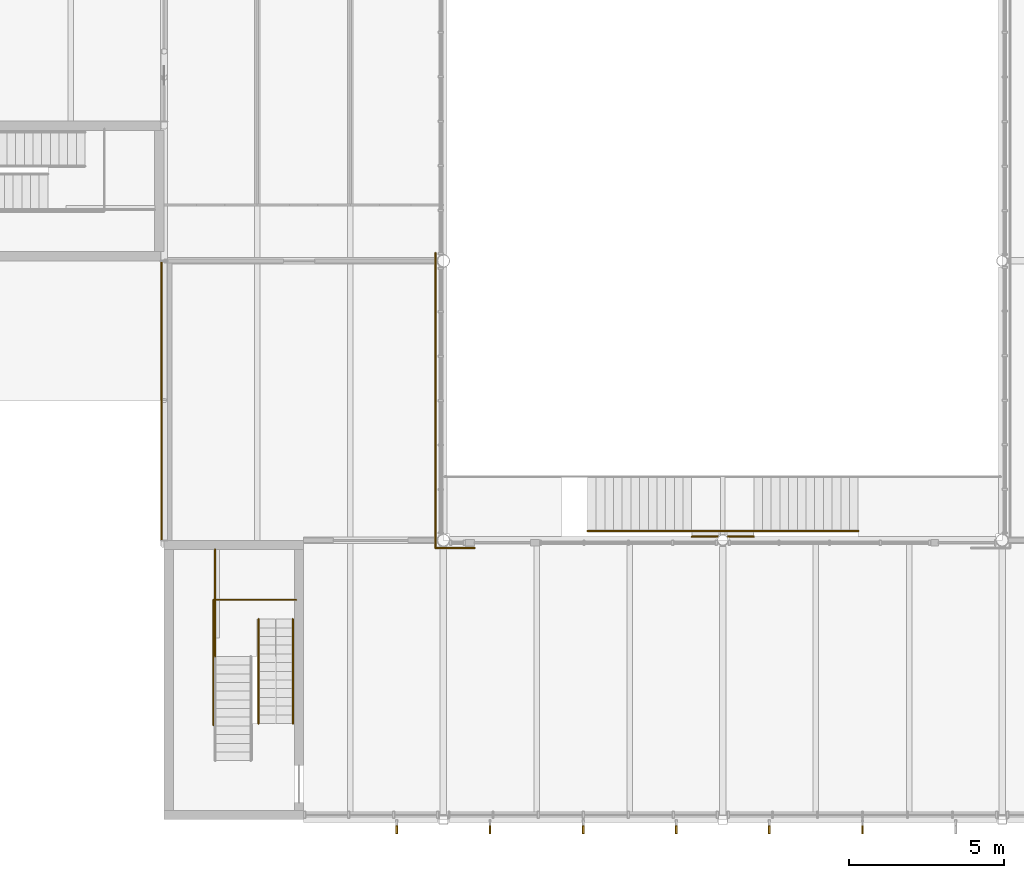
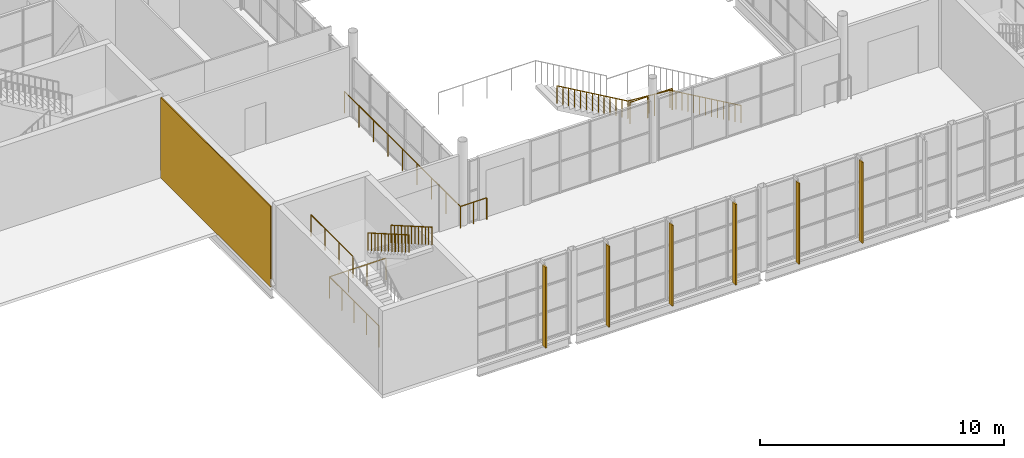
# One storey, part 52 of 57: 9 railings, 6 shading devices, 1 covering.
"""IFC4 building model written with IfcOpenShell, lengths in metres."""

from ifc_helpers import new_model, si_unit, direction, frame, frame_2d, origin, origin_2d, place, context, subcontext, project, spatial, rectangle, circle, extrude, material, layer, layer_set, type_object, element, save


model = new_model("IFC4")

# Units and contexts
model_context = context("Model", 3, precision=1e-05, world=origin(), true_north=direction((0.0, 1.0)))
body_context = subcontext(model_context, "Body", "Model", "MODEL_VIEW")
ifc_project = project(units=[si_unit("LENGTHUNIT", "METRE"), si_unit("AREAUNIT", "SQUARE_METRE"), si_unit("VOLUMEUNIT", "CUBIC_METRE"), si_unit("PLANEANGLEUNIT", "RADIAN"), si_unit("MASSUNIT", "GRAM", prefix="KILO")], contexts=[model_context])

# Site, building, storey
site_placement = place(None, origin())
site = spatial("IfcSite", under=ifc_project, at=site_placement, CompositionType="ELEMENT")
building_placement = place(site_placement, origin())
building = spatial("IfcBuilding", under=site, at=building_placement, Name="Halyard Row Museum", CompositionType="ELEMENT")
storey_placement = place(building_placement, frame((0.0, 0.0, 5.0)))
storey = spatial("IfcBuildingStorey", under=building, at=storey_placement, Name="L01", CompositionType="ELEMENT", Elevation=5.0)

# Railings
ifc_material_1 = material(Name="Steel Grade 300", Category="steel")
railing_type_1 = type_object("IfcRailingType", Name="Guard GR2 steel balustrade 1100", PredefinedType="GUARDRAIL", material=ifc_material_1)
railing_1_placement = place(storey_placement, frame((73.64990234375, 5.260009765625, 2.10009765625)))
element("IfcRailing", 1, at=railing_1_placement, inside=storey, type_object=railing_type_1, Name="Guard GR042", PredefinedType="GUARDRAIL", context=body_context, shape_type="SweptSolid", body=[
    extrude(circle(Radius=0.02392578125, at=origin_2d()), frame((0.0, 0.0, 1.076171875), z_axis=(0.0, 1.0, 0.0), x_axis=(-1.0, 0.0, 0.0)), (0.0, 0.0, 1.0), 3.43994140625),
    extrude(circle(Radius=0.02099609375, at=origin_2d()), origin(), (0.0, 0.0, 1.0), 1.052001953125),
    extrude(circle(Radius=0.02099609375, at=origin_2d()), frame((0.0, 1.146728515625, 0.0)), (0.0, 0.0, 1.0), 1.052001953125),
    extrude(circle(Radius=0.02099609375, at=origin_2d()), frame((0.0, 2.293212890625, 0.0)), (0.0, 0.0, 1.0), 1.052001953125),
    extrude(circle(Radius=0.02099609375, at=origin_2d()), frame((0.0, 3.43994140625, 0.0)), (0.0, 0.0, 1.0), 1.052001953125),
])
for number, where, name in (
    (2, (91.0, 9.1201171875, 2.10009765625), "Guard GR132"),
    (3, (89.8388671875, 9.1201171875, 2.10009765625), "Guard GR133"),
):
    element("IfcRailing", number, at=place(storey_placement, frame(where)), inside=storey, type_object=railing_type_1, Name=name, PredefinedType="GUARDRAIL", context=body_context, shape_type="SweptSolid", body=[
        extrude(circle(Radius=0.02392578125, at=origin_2d()), frame((0.0, 0.0, 1.076171875), z_axis=(-1.0, 0.0, 0.0), x_axis=(0.0, -1.0, 0.0)), (0.0, 0.0, 1.0), 0.8388671875),
        extrude(circle(Radius=0.02099609375, at=origin_2d()), origin(), (0.0, 0.0, 1.0), 1.052001953125),
        extrude(circle(Radius=0.02099609375, at=origin_2d()), frame((-0.8388671875, 0.0, 0.0)), (0.0, 0.0, 1.0), 1.052001953125),
    ])
railing_2_placement = place(storey_placement, frame((73.590087890625, 3.0400390625, 0.0)))
element("IfcRailing", 4, at=railing_2_placement, inside=storey, type_object=railing_type_1, Name="Guard GR156", PredefinedType="GUARDRAIL", context=body_context, shape_type="SweptSolid", body=[
    extrude(circle(Radius=0.02392578125, at=origin_2d()), frame((0.0, 0.0, 1.076171875), z_axis=(0.0, 1.0, 0.0), x_axis=(-1.0, 0.0, 0.0)), (0.0, 0.0, 1.0), 4.0400390625),
    extrude(circle(Radius=0.02392578125, at=origin_2d()), frame((0.0, 4.0400390625, 1.076171875), z_axis=(1.0, 0.0, 0.0), x_axis=(0.0, 1.0, 0.0)), (0.0, 0.0, 1.0), 2.669921875),
    extrude(circle(Radius=0.02099609375, at=origin_2d()), origin(), (0.0, 0.0, 1.0), 1.052001953125),
    extrude(circle(Radius=0.02099609375, at=origin_2d()), frame((0.0, 1.010009765625, 0.0)), (0.0, 0.0, 1.0), 1.052001953125),
    extrude(circle(Radius=0.02099609375, at=origin_2d()), frame((0.0, 2.02001953125, 0.0)), (0.0, 0.0, 1.0), 1.052001953125),
    extrude(circle(Radius=0.02099609375, at=origin_2d()), frame((0.0, 3.030029296875, 0.0)), (0.0, 0.0, 1.0), 1.052001953125),
    extrude(circle(Radius=0.02099609375, at=origin_2d()), frame((0.0, 4.0400390625, 0.0)), (0.0, 0.0, 1.0), 1.052001953125),
    extrude(circle(Radius=0.02099609375, at=origin_2d()), frame((0.889892578125, 4.0400390625, 0.0)), (0.0, 0.0, 1.0), 1.052001953125),
    extrude(circle(Radius=0.02099609375, at=origin_2d()), frame((1.780029296875, 4.0400390625, 0.0)), (0.0, 0.0, 1.0), 1.052001953125),
    extrude(circle(Radius=0.02099609375, at=origin_2d()), frame((2.669921875, 4.0400390625, 0.0)), (0.0, 0.0, 1.0), 1.052001953125),
])
railing_3_placement = place(storey_placement, frame((80.75, 8.75, 0.0)))
element("IfcRailing", 5, at=railing_3_placement, inside=storey, type_object=railing_type_1, Name="Guard GR194", PredefinedType="GUARDRAIL", context=body_context, shape_type="SweptSolid", body=[
    extrude(circle(Radius=0.02392578125, at=origin_2d()), frame((0.0, 0.0, 1.076171875), z_axis=(0.0, 1.0, 0.0), x_axis=(-1.0, 0.0, 0.0)), (0.0, 0.0, 1.0), 9.5),
    extrude(circle(Radius=0.02099609375, at=origin_2d()), origin(), (0.0, 0.0, 1.0), 1.052001953125),
    extrude(circle(Radius=0.02099609375, at=origin_2d()), frame((0.0, 1.1875, 0.0)), (0.0, 0.0, 1.0), 1.052001953125),
    extrude(circle(Radius=0.02099609375, at=origin_2d()), frame((0.0, 2.375, 0.0)), (0.0, 0.0, 1.0), 1.052001953125),
    extrude(circle(Radius=0.02099609375, at=origin_2d()), frame((0.0, 3.5625, 0.0)), (0.0, 0.0, 1.0), 1.052001953125),
    extrude(circle(Radius=0.02099609375, at=origin_2d()), frame((0.0, 4.75, 0.0)), (0.0, 0.0, 1.0), 1.052001953125),
    extrude(circle(Radius=0.02099609375, at=origin_2d()), frame((0.0, 5.9375, 0.0)), (0.0, 0.0, 1.0), 1.052001953125),
    extrude(circle(Radius=0.02099609375, at=origin_2d()), frame((0.0, 7.125, 0.0)), (0.0, 0.0, 1.0), 1.052001953125),
    extrude(circle(Radius=0.02099609375, at=origin_2d()), frame((0.0, 8.3125, 0.0)), (0.0, 0.0, 1.0), 1.052001953125),
    extrude(circle(Radius=0.02099609375, at=origin_2d()), frame((0.0, 9.5, 0.0)), (0.0, 0.0, 1.0), 1.052001953125),
])
railing_4_placement = place(storey_placement, frame((80.75, 8.75, 0.0)))
element("IfcRailing", 6, at=railing_4_placement, inside=storey, type_object=railing_type_1, Name="Guard GR196", PredefinedType="GUARDRAIL", context=body_context, shape_type="SweptSolid", body=[
    extrude(circle(Radius=0.02392578125, at=origin_2d()), frame((0.0, 0.0, 1.076171875), z_axis=(1.0, 0.0, 0.0), x_axis=(0.0, 1.0, 0.0)), (0.0, 0.0, 1.0), 1.25),
    extrude(circle(Radius=0.02099609375, at=origin_2d()), origin(), (0.0, 0.0, 1.0), 1.052001953125),
    extrude(circle(Radius=0.02099609375, at=origin_2d()), frame((0.625, 0.0, 0.0)), (0.0, 0.0, 1.0), 1.052001953125),
    extrude(circle(Radius=0.02099609375, at=origin_2d()), frame((1.25, 0.0, 0.0)), (0.0, 0.0, 1.0), 1.052001953125),
])
ifc_material_2 = material(Name="Steel Grade 300", Category="steel")
railing_type_2 = type_object("IfcRailingType", Name="Handrail HR2 steel 900", PredefinedType="HANDRAIL", material=ifc_material_2)
railing_5_placement = place(storey_placement, frame((76.14990234375, 6.4599609375, 2.261474609375)))
element("IfcRailing", 7, at=railing_5_placement, inside=storey, type_object=railing_type_2, Name="Handrail HR062", PredefinedType="HANDRAIL", context=body_context, shape_type="SweptSolid", body=[
    extrude(circle(Radius=0.02392578125, at=origin_2d()), frame((0.0, 0.0, 0.8759765625), z_axis=(0.0, -0.86609757561, 0.499874973892), x_axis=(1.0, 0.0, 0.0)), (0.0, 0.0, 1.0), 0.3232421875),
    extrude(circle(Radius=0.02392578125, at=origin_2d()), frame((0.0, -0.280029296875, 1.03759765625), z_axis=(0.0, -0.86609757561, 0.499874973892), x_axis=(1.0, 0.0, 0.0)), (0.0, 0.0, 1.0), 0.3232421875),
    extrude(circle(Radius=0.02392578125, at=origin_2d()), frame((0.0, -0.56005859375, 1.19921875), z_axis=(0.0, -0.866235917577, 0.499635202023), x_axis=(1.0, 0.0, 0.0)), (0.0, 0.0, 1.0), 0.322998046875),
    extrude(circle(Radius=0.02392578125, at=origin_2d()), frame((0.0, -0.83984375, 1.3603515625), z_axis=(0.0, -0.86609757561, 0.499874973892), x_axis=(1.0, 0.0, 0.0)), (0.0, 0.0, 1.0), 0.3232421875),
    extrude(circle(Radius=0.02392578125, at=origin_2d()), frame((0.0, -1.119873046875, 1.52197265625), z_axis=(0.0, -0.86609757561, 0.499874973892), x_axis=(1.0, 0.0, 0.0)), (0.0, 0.0, 1.0), 0.3232421875),
    extrude(circle(Radius=0.02392578125, at=origin_2d()), frame((0.0, -1.39990234375, 1.68359375), z_axis=(0.0, -0.866424426198, 0.49930823515), x_axis=(1.0, 0.0, 0.0)), (0.0, 0.0, 1.0), 0.3232421875),
    extrude(circle(Radius=0.02392578125, at=origin_2d()), frame((0.0, -1.679931640625, 1.84521484375), z_axis=(0.0, -0.86609757561, 0.499874973892), x_axis=(1.0, 0.0, 0.0)), (0.0, 0.0, 1.0), 0.3232421875),
    extrude(circle(Radius=0.02392578125, at=origin_2d()), frame((0.0, -1.9599609375, 2.0068359375), z_axis=(0.0, -0.86609757561, 0.499874973892), x_axis=(1.0, 0.0, 0.0)), (0.0, 0.0, 1.0), 0.3232421875),
    extrude(circle(Radius=0.02392578125, at=origin_2d()), frame((0.0, -2.239990234375, 2.16845703125), z_axis=(0.0, -0.866424426198, 0.49930823515), x_axis=(1.0, 0.0, 0.0)), (0.0, 0.0, 1.0), 0.3232421875),
    extrude(circle(Radius=0.02392578125, at=origin_2d()), frame((0.0, -2.52001953125, 2.32958984375), z_axis=(0.0, -0.86609757561, 0.499874973892), x_axis=(1.0, 0.0, 0.0)), (0.0, 0.0, 1.0), 0.3232421875),
    extrude(circle(Radius=0.02392578125, at=origin_2d()), frame((0.0, -2.800048828125, 2.4912109375), z_axis=(0.0, -0.86609757561, 0.499874973892), x_axis=(1.0, 0.0, 0.0)), (0.0, 0.0, 1.0), 0.3232421875),
    extrude(circle(Radius=0.02392578125, at=origin_2d()), frame((0.0, -3.080078125, 2.65283203125), z_axis=(0.0, -0.866235917577, 0.499635202023), x_axis=(1.0, 0.0, 0.0)), (0.0, 0.0, 1.0), 0.322998046875),
    extrude(circle(Radius=0.02099609375, at=origin_2d()), origin(), (0.0, 0.0, 1.0), 0.851806640625),
    extrude(circle(Radius=0.02099609375, at=origin_2d()), frame((0.0, -0.280029296875, 0.16162109375)), (0.0, 0.0, 1.0), 0.851806640625),
    extrude(circle(Radius=0.02099609375, at=origin_2d()), frame((0.0, -0.56005859375, 0.3232421875)), (0.0, 0.0, 1.0), 0.851806640625),
    extrude(circle(Radius=0.02099609375, at=origin_2d()), frame((0.0, -0.83984375, 0.484619140625)), (0.0, 0.0, 1.0), 0.851806640625),
    extrude(circle(Radius=0.02099609375, at=origin_2d()), frame((0.0, -1.119873046875, 0.646240234375)), (0.0, 0.0, 1.0), 0.851806640625),
    extrude(circle(Radius=0.02099609375, at=origin_2d()), frame((0.0, -1.39990234375, 0.807861328125)), (0.0, 0.0, 1.0), 0.851806640625),
    extrude(circle(Radius=0.02099609375, at=origin_2d()), frame((0.0, -1.679931640625, 0.96923828125)), (0.0, 0.0, 1.0), 0.851806640625),
    extrude(circle(Radius=0.02099609375, at=origin_2d()), frame((0.0, -1.9599609375, 1.130859375)), (0.0, 0.0, 1.0), 0.851806640625),
    extrude(circle(Radius=0.02099609375, at=origin_2d()), frame((0.0, -2.239990234375, 1.29248046875)), (0.0, 0.0, 1.0), 0.851806640625),
    extrude(circle(Radius=0.02099609375, at=origin_2d()), frame((0.0, -2.52001953125, 1.453857421875)), (0.0, 0.0, 1.0), 0.851806640625),
    extrude(circle(Radius=0.02099609375, at=origin_2d()), frame((0.0, -2.800048828125, 1.615478515625)), (0.0, 0.0, 1.0), 0.851806640625),
    extrude(circle(Radius=0.02099609375, at=origin_2d()), frame((0.0, -3.080078125, 1.777099609375)), (0.0, 0.0, 1.0), 0.851806640625),
    extrude(circle(Radius=0.02099609375, at=origin_2d()), frame((0.0, -3.35986328125, 1.9384765625)), (0.0, 0.0, 1.0), 0.851806640625),
])
railing_6_placement = place(storey_placement, frame((75.050048828125, 6.4599609375, 2.261474609375)))
element("IfcRailing", 8, at=railing_6_placement, inside=storey, type_object=railing_type_2, Name="Handrail HR063", PredefinedType="HANDRAIL", context=body_context, shape_type="SweptSolid", body=[
    extrude(circle(Radius=0.02392578125, at=origin_2d()), frame((0.0, 0.0, 0.8759765625), z_axis=(0.0, -0.86609757561, 0.499874973892), x_axis=(1.0, 0.0, 0.0)), (0.0, 0.0, 1.0), 0.3232421875),
    extrude(circle(Radius=0.02392578125, at=origin_2d()), frame((0.0, -0.280029296875, 1.03759765625), z_axis=(0.0, -0.86609757561, 0.499874973892), x_axis=(1.0, 0.0, 0.0)), (0.0, 0.0, 1.0), 0.3232421875),
    extrude(circle(Radius=0.02392578125, at=origin_2d()), frame((0.0, -0.56005859375, 1.19921875), z_axis=(0.0, -0.866235917577, 0.499635202023), x_axis=(1.0, 0.0, 0.0)), (0.0, 0.0, 1.0), 0.322998046875),
    extrude(circle(Radius=0.02392578125, at=origin_2d()), frame((0.0, -0.83984375, 1.3603515625), z_axis=(0.0, -0.86609757561, 0.499874973892), x_axis=(1.0, 0.0, 0.0)), (0.0, 0.0, 1.0), 0.3232421875),
    extrude(circle(Radius=0.02392578125, at=origin_2d()), frame((0.0, -1.119873046875, 1.52197265625), z_axis=(0.0, -0.86609757561, 0.499874973892), x_axis=(1.0, 0.0, 0.0)), (0.0, 0.0, 1.0), 0.3232421875),
    extrude(circle(Radius=0.02392578125, at=origin_2d()), frame((0.0, -1.39990234375, 1.68359375), z_axis=(0.0, -0.866424426198, 0.49930823515), x_axis=(1.0, 0.0, 0.0)), (0.0, 0.0, 1.0), 0.3232421875),
    extrude(circle(Radius=0.02392578125, at=origin_2d()), frame((0.0, -1.679931640625, 1.84521484375), z_axis=(0.0, -0.86609757561, 0.499874973892), x_axis=(1.0, 0.0, 0.0)), (0.0, 0.0, 1.0), 0.3232421875),
    extrude(circle(Radius=0.02392578125, at=origin_2d()), frame((0.0, -1.9599609375, 2.0068359375), z_axis=(0.0, -0.86609757561, 0.499874973892), x_axis=(1.0, 0.0, 0.0)), (0.0, 0.0, 1.0), 0.3232421875),
    extrude(circle(Radius=0.02392578125, at=origin_2d()), frame((0.0, -2.239990234375, 2.16845703125), z_axis=(0.0, -0.866424426198, 0.49930823515), x_axis=(1.0, 0.0, 0.0)), (0.0, 0.0, 1.0), 0.3232421875),
    extrude(circle(Radius=0.02392578125, at=origin_2d()), frame((0.0, -2.52001953125, 2.32958984375), z_axis=(0.0, -0.86609757561, 0.499874973892), x_axis=(1.0, 0.0, 0.0)), (0.0, 0.0, 1.0), 0.3232421875),
    extrude(circle(Radius=0.02392578125, at=origin_2d()), frame((0.0, -2.800048828125, 2.4912109375), z_axis=(0.0, -0.86609757561, 0.499874973892), x_axis=(1.0, 0.0, 0.0)), (0.0, 0.0, 1.0), 0.3232421875),
    extrude(circle(Radius=0.02392578125, at=origin_2d()), frame((0.0, -3.080078125, 2.65283203125), z_axis=(0.0, -0.866235917577, 0.499635202023), x_axis=(1.0, 0.0, 0.0)), (0.0, 0.0, 1.0), 0.322998046875),
    extrude(circle(Radius=0.02099609375, at=origin_2d()), origin(), (0.0, 0.0, 1.0), 0.851806640625),
    extrude(circle(Radius=0.02099609375, at=origin_2d()), frame((0.0, -0.280029296875, 0.16162109375)), (0.0, 0.0, 1.0), 0.851806640625),
    extrude(circle(Radius=0.02099609375, at=origin_2d()), frame((0.0, -0.56005859375, 0.3232421875)), (0.0, 0.0, 1.0), 0.851806640625),
    extrude(circle(Radius=0.02099609375, at=origin_2d()), frame((0.0, -0.83984375, 0.484619140625)), (0.0, 0.0, 1.0), 0.851806640625),
    extrude(circle(Radius=0.02099609375, at=origin_2d()), frame((0.0, -1.119873046875, 0.646240234375)), (0.0, 0.0, 1.0), 0.851806640625),
    extrude(circle(Radius=0.02099609375, at=origin_2d()), frame((0.0, -1.39990234375, 0.807861328125)), (0.0, 0.0, 1.0), 0.851806640625),
    extrude(circle(Radius=0.02099609375, at=origin_2d()), frame((0.0, -1.679931640625, 0.96923828125)), (0.0, 0.0, 1.0), 0.851806640625),
    extrude(circle(Radius=0.02099609375, at=origin_2d()), frame((0.0, -1.9599609375, 1.130859375)), (0.0, 0.0, 1.0), 0.851806640625),
    extrude(circle(Radius=0.02099609375, at=origin_2d()), frame((0.0, -2.239990234375, 1.29248046875)), (0.0, 0.0, 1.0), 0.851806640625),
    extrude(circle(Radius=0.02099609375, at=origin_2d()), frame((0.0, -2.52001953125, 1.453857421875)), (0.0, 0.0, 1.0), 0.851806640625),
    extrude(circle(Radius=0.02099609375, at=origin_2d()), frame((0.0, -2.800048828125, 1.615478515625)), (0.0, 0.0, 1.0), 0.851806640625),
    extrude(circle(Radius=0.02099609375, at=origin_2d()), frame((0.0, -3.080078125, 1.777099609375)), (0.0, 0.0, 1.0), 0.851806640625),
    extrude(circle(Radius=0.02099609375, at=origin_2d()), frame((0.0, -3.35986328125, 1.9384765625)), (0.0, 0.0, 1.0), 0.851806640625),
])
railing_7_placement = place(storey_placement, frame((94.360107421875, 9.300048828125, 0.16162109375)))
element("IfcRailing", 9, at=railing_7_placement, inside=storey, type_object=railing_type_2, Name="Handrail HR152", PredefinedType="HANDRAIL", context=body_context, shape_type="SweptSolid", body=[
    extrude(circle(Radius=0.02392578125, at=origin_2d()), frame((0.0, 0.0, 0.8759765625), z_axis=(-0.866424426198, 0.0, 0.49930823515), x_axis=(0.0, -1.0, 0.0)), (0.0, 0.0, 1.0), 0.3232421875),
    extrude(circle(Radius=0.02392578125, at=origin_2d()), frame((-0.280029296875, 0.0, 1.037109375), z_axis=(-0.86609757561, 0.0, 0.499874973892), x_axis=(0.0, -1.0, 0.0)), (0.0, 0.0, 1.0), 0.3232421875),
    extrude(circle(Radius=0.02392578125, at=origin_2d()), frame((-0.56005859375, 0.0, 1.19873046875), z_axis=(-0.86609757561, 0.0, 0.499874973892), x_axis=(0.0, -1.0, 0.0)), (0.0, 0.0, 1.0), 0.3232421875),
    extrude(circle(Radius=0.02392578125, at=origin_2d()), frame((-0.840087890625, 0.0, 1.3603515625), z_axis=(-0.866424426198, 0.0, 0.49930823515), x_axis=(0.0, -1.0, 0.0)), (0.0, 0.0, 1.0), 0.3232421875),
    extrude(circle(Radius=0.02392578125, at=origin_2d()), frame((-1.1201171875, 0.0, 1.52197265625), z_axis=(-0.86609757561, 0.0, 0.499874973892), x_axis=(0.0, -1.0, 0.0)), (0.0, 0.0, 1.0), 0.3232421875),
    extrude(circle(Radius=0.02392578125, at=origin_2d()), frame((-1.400146484375, 0.0, 1.68359375), z_axis=(-0.86609757561, 0.0, 0.499874973892), x_axis=(0.0, -1.0, 0.0)), (0.0, 0.0, 1.0), 0.3232421875),
    extrude(circle(Radius=0.02392578125, at=origin_2d()), frame((-1.68017578125, 0.0, 1.84521484375), z_axis=(-0.866424426198, 0.0, 0.49930823515), x_axis=(0.0, -1.0, 0.0)), (0.0, 0.0, 1.0), 0.3232421875),
    extrude(circle(Radius=0.02392578125, at=origin_2d()), frame((-1.960205078125, 0.0, 2.00634765625), z_axis=(-0.865908710228, 0.0, 0.500202064721), x_axis=(0.0, -1.0, 0.0)), (0.0, 0.0, 1.0), 0.322998046875),
    extrude(circle(Radius=0.02392578125, at=origin_2d()), frame((-2.239990234375, 0.0, 2.16796875), z_axis=(-0.86609757561, 0.0, 0.499874973892), x_axis=(0.0, -1.0, 0.0)), (0.0, 0.0, 1.0), 0.3232421875),
    extrude(circle(Radius=0.02392578125, at=origin_2d()), frame((-2.52001953125, 0.0, 2.32958984375), z_axis=(-0.866424426198, 0.0, 0.49930823515), x_axis=(0.0, -1.0, 0.0)), (0.0, 0.0, 1.0), 0.3232421875),
    extrude(circle(Radius=0.02392578125, at=origin_2d()), frame((-2.800048828125, 0.0, 2.4912109375), z_axis=(-0.86609757561, 0.0, 0.499874973892), x_axis=(0.0, -1.0, 0.0)), (0.0, 0.0, 1.0), 0.3232421875),
    extrude(circle(Radius=0.02392578125, at=origin_2d()), frame((-3.080078125, 0.0, 2.65283203125), z_axis=(-0.86609757561, 0.0, 0.499874973892), x_axis=(0.0, -1.0, 0.0)), (0.0, 0.0, 1.0), 0.3232421875),
    extrude(circle(Radius=0.02392578125, at=origin_2d()), frame((-3.360107421875, 0.0, 2.814453125), z_axis=(-0.996760494736, 0.0, 0.080427085818), x_axis=(0.0, -1.0, 0.0)), (0.0, 0.0, 1.0), 2.006591796875),
    extrude(circle(Radius=0.02392578125, at=origin_2d()), frame((-5.360107421875, 0.0, 2.9755859375), z_axis=(-0.86609757561, 0.0, 0.499874973892), x_axis=(0.0, -1.0, 0.0)), (0.0, 0.0, 1.0), 0.3232421875),
    extrude(circle(Radius=0.02392578125, at=origin_2d()), frame((-5.64013671875, 0.0, 3.13720703125), z_axis=(-0.86609757561, 0.0, 0.499874973892), x_axis=(0.0, -1.0, 0.0)), (0.0, 0.0, 1.0), 0.3232421875),
    extrude(circle(Radius=0.02392578125, at=origin_2d()), frame((-5.920166015625, 0.0, 3.298828125), z_axis=(-0.866424426198, 0.0, 0.49930823515), x_axis=(0.0, -1.0, 0.0)), (0.0, 0.0, 1.0), 0.3232421875),
    extrude(circle(Radius=0.02392578125, at=origin_2d()), frame((-6.2001953125, 0.0, 3.46044921875), z_axis=(-0.86609757561, 0.0, 0.499874973892), x_axis=(0.0, -1.0, 0.0)), (0.0, 0.0, 1.0), 0.3232421875),
    extrude(circle(Radius=0.02392578125, at=origin_2d()), frame((-6.480224609375, 0.0, 3.6220703125), z_axis=(-0.865908710228, 0.0, 0.500202064721), x_axis=(0.0, -1.0, 0.0)), (0.0, 0.0, 1.0), 0.322998046875),
    extrude(circle(Radius=0.02392578125, at=origin_2d()), frame((-6.760009765625, 0.0, 3.78369140625), z_axis=(-0.866424426198, 0.0, 0.49930823515), x_axis=(0.0, -1.0, 0.0)), (0.0, 0.0, 1.0), 0.3232421875),
    extrude(circle(Radius=0.02392578125, at=origin_2d()), frame((-7.0400390625, 0.0, 3.94482421875), z_axis=(-0.86609757561, 0.0, 0.499874973892), x_axis=(0.0, -1.0, 0.0)), (0.0, 0.0, 1.0), 0.3232421875),
    extrude(circle(Radius=0.02392578125, at=origin_2d()), frame((-7.320068359375, 0.0, 4.1064453125), z_axis=(-0.86609757561, 0.0, 0.499874973892), x_axis=(0.0, -1.0, 0.0)), (0.0, 0.0, 1.0), 0.3232421875),
    extrude(circle(Radius=0.02392578125, at=origin_2d()), frame((-7.60009765625, 0.0, 4.26806640625), z_axis=(-0.866424426198, 0.0, 0.49930823515), x_axis=(0.0, -1.0, 0.0)), (0.0, 0.0, 1.0), 0.3232421875),
    extrude(circle(Radius=0.02392578125, at=origin_2d()), frame((-7.880126953125, 0.0, 4.4296875), z_axis=(-0.86609757561, 0.0, 0.499874973892), x_axis=(0.0, -1.0, 0.0)), (0.0, 0.0, 1.0), 0.3232421875),
    extrude(circle(Radius=0.02392578125, at=origin_2d()), frame((-8.16015625, 0.0, 4.59130859375), z_axis=(-0.86609757561, 0.0, 0.499874973892), x_axis=(0.0, -1.0, 0.0)), (0.0, 0.0, 1.0), 0.3232421875),
    extrude(circle(Radius=0.02392578125, at=origin_2d()), frame((-8.440185546875, 0.0, 4.7529296875), z_axis=(-0.866424426198, 0.0, 0.49930823515), x_axis=(0.0, -1.0, 0.0)), (0.0, 0.0, 1.0), 0.3232421875),
    extrude(circle(Radius=0.02099609375, at=origin_2d()), origin(), (0.0, 0.0, 1.0), 0.851806640625),
    extrude(circle(Radius=0.02099609375, at=origin_2d()), frame((-0.280029296875, 0.0, 0.161376953125)), (0.0, 0.0, 1.0), 0.851806640625),
    extrude(circle(Radius=0.02099609375, at=origin_2d()), frame((-0.56005859375, 0.0, 0.322998046875)), (0.0, 0.0, 1.0), 0.851806640625),
    extrude(circle(Radius=0.02099609375, at=origin_2d()), frame((-0.840087890625, 0.0, 0.484619140625)), (0.0, 0.0, 1.0), 0.851806640625),
    extrude(circle(Radius=0.02099609375, at=origin_2d()), frame((-1.1201171875, 0.0, 0.64599609375)), (0.0, 0.0, 1.0), 0.851806640625),
    extrude(circle(Radius=0.02099609375, at=origin_2d()), frame((-1.400146484375, 0.0, 0.8076171875)), (0.0, 0.0, 1.0), 0.851806640625),
    extrude(circle(Radius=0.02099609375, at=origin_2d()), frame((-1.68017578125, 0.0, 0.96923828125)), (0.0, 0.0, 1.0), 0.851806640625),
    extrude(circle(Radius=0.02099609375, at=origin_2d()), frame((-1.960205078125, 0.0, 1.130615234375)), (0.0, 0.0, 1.0), 0.851806640625),
    extrude(circle(Radius=0.02099609375, at=origin_2d()), frame((-2.239990234375, 0.0, 1.292236328125)), (0.0, 0.0, 1.0), 0.851806640625),
    extrude(circle(Radius=0.02099609375, at=origin_2d()), frame((-2.52001953125, 0.0, 1.453857421875)), (0.0, 0.0, 1.0), 0.851806640625),
    extrude(circle(Radius=0.02099609375, at=origin_2d()), frame((-2.800048828125, 0.0, 1.615234375)), (0.0, 0.0, 1.0), 0.851806640625),
    extrude(circle(Radius=0.02099609375, at=origin_2d()), frame((-3.080078125, 0.0, 1.77685546875)), (0.0, 0.0, 1.0), 0.851806640625),
    extrude(circle(Radius=0.02099609375, at=origin_2d()), frame((-3.360107421875, 0.0, 1.9384765625)), (0.0, 0.0, 1.0), 0.851806640625),
    extrude(circle(Radius=0.02099609375, at=origin_2d()), frame((-4.360107421875, 0.0, 2.01904296875)), (0.0, 0.0, 1.0), 0.851806640625),
    extrude(circle(Radius=0.02099609375, at=origin_2d()), frame((-5.360107421875, 0.0, 2.099853515625)), (0.0, 0.0, 1.0), 0.851806640625),
    extrude(circle(Radius=0.02099609375, at=origin_2d()), frame((-5.64013671875, 0.0, 2.261474609375)), (0.0, 0.0, 1.0), 0.851806640625),
    extrude(circle(Radius=0.02099609375, at=origin_2d()), frame((-5.920166015625, 0.0, 2.423095703125)), (0.0, 0.0, 1.0), 0.851806640625),
    extrude(circle(Radius=0.02099609375, at=origin_2d()), frame((-6.2001953125, 0.0, 2.58447265625)), (0.0, 0.0, 1.0), 0.851806640625),
    extrude(circle(Radius=0.02099609375, at=origin_2d()), frame((-6.480224609375, 0.0, 2.74609375)), (0.0, 0.0, 1.0), 0.851806640625),
    extrude(circle(Radius=0.02099609375, at=origin_2d()), frame((-6.760009765625, 0.0, 2.90771484375)), (0.0, 0.0, 1.0), 0.851806640625),
    extrude(circle(Radius=0.02099609375, at=origin_2d()), frame((-7.0400390625, 0.0, 3.069091796875)), (0.0, 0.0, 1.0), 0.851806640625),
    extrude(circle(Radius=0.02099609375, at=origin_2d()), frame((-7.320068359375, 0.0, 3.230712890625)), (0.0, 0.0, 1.0), 0.851806640625),
    extrude(circle(Radius=0.02099609375, at=origin_2d()), frame((-7.60009765625, 0.0, 3.392333984375)), (0.0, 0.0, 1.0), 0.851806640625),
    extrude(circle(Radius=0.02099609375, at=origin_2d()), frame((-7.880126953125, 0.0, 3.5537109375)), (0.0, 0.0, 1.0), 0.851806640625),
    extrude(circle(Radius=0.02099609375, at=origin_2d()), frame((-8.16015625, 0.0, 3.71533203125)), (0.0, 0.0, 1.0), 0.851806640625),
    extrude(circle(Radius=0.02099609375, at=origin_2d()), frame((-8.440185546875, 0.0, 3.876953125)), (0.0, 0.0, 1.0), 0.851806640625),
    extrude(circle(Radius=0.02099609375, at=origin_2d()), frame((-8.72021484375, 0.0, 4.038330078125)), (0.0, 0.0, 1.0), 0.851806640625),
])

# Covering
ifc_material_3 = material(Name="Fire-retardant Type A timber battens", Category="wood")
ifc_layer = layer(ifc_material_3, 0.050048828125)
ifc_layer_set = layer_set([ifc_layer], Name="Fire-retardant Type A timber battens")
covering_type = type_object("IfcCoveringType", Name="Timber batten cladding 50", PredefinedType="CLADDING", material=ifc_layer_set)
covering_placement = place(storey_placement, frame((71.9150390625, 18.0, 0.0), z_axis=(0.0, 0.0, 1.0), x_axis=(0.0, -1.0, 0.0)))
element("IfcCovering", 10, at=covering_placement, inside=storey, type_object=covering_type, Name="Cladding CLL01-026", PredefinedType="CLADDING", context=body_context, shape_type="SweptSolid", body=[
    extrude(rectangle(XDim=9.0, YDim=0.050048828125, at=frame_2d((4.5, 0.0))), origin(), (0.0, 0.0, 1.0), 4.034912109375),
])

# Shading devices
ifc_material_4 = material(Name="Glue-laminated timber GL12, oiled", Category="wood")
shading_device_type = type_object("IfcShadingDeviceType", Name="Timber fin 60 x 250", PredefinedType="USERDEFINED", material=ifc_material_4)
for number, where, z_axis, x_axis, name in (
    (11, (79.5, -0.324951171875, 0.0), (0.0, 0.0, 1.0), (1.0, 0.0, 0.0), "Timber fin"),
    (12, (82.5, -0.324951171875, 0.0), (0.0, 0.0, 1.0), (1.0, 0.0, 0.0), "Timber fin"),
    (13, (85.5, -0.324951171875, 0.0), (0.0, 0.0, 1.0), (1.0, 0.0, 0.0), "Timber fin"),
    (14, (88.5, -0.324951171875, 0.0), (0.0, 0.0, 1.0), (1.0, 0.0, 0.0), "Timber fin"),
    (15, (91.5, -0.324951171875, 0.0), (0.0, 0.0, 1.0), (1.0, 0.0, 0.0), "Timber fin"),
    (16, (94.5, -0.324951171875, 0.0), (0.0, 0.0, 1.0), (1.0, 0.0, 0.0), "Timber fin"),
):
    element("IfcShadingDevice", number, at=place(storey_placement, frame(where, z_axis=z_axis, x_axis=x_axis)), inside=storey, type_object=shading_device_type, Name=name, ObjectType="FIN", PredefinedType="USERDEFINED", context=body_context, shape_type="SweptSolid", body=[
        extrude(rectangle(XDim=0.06005859375, YDim=0.25, at=origin_2d()), origin(), (0.0, 0.0, 1.0), 4.050048828125),
    ])

save(model, "model.ifc")
